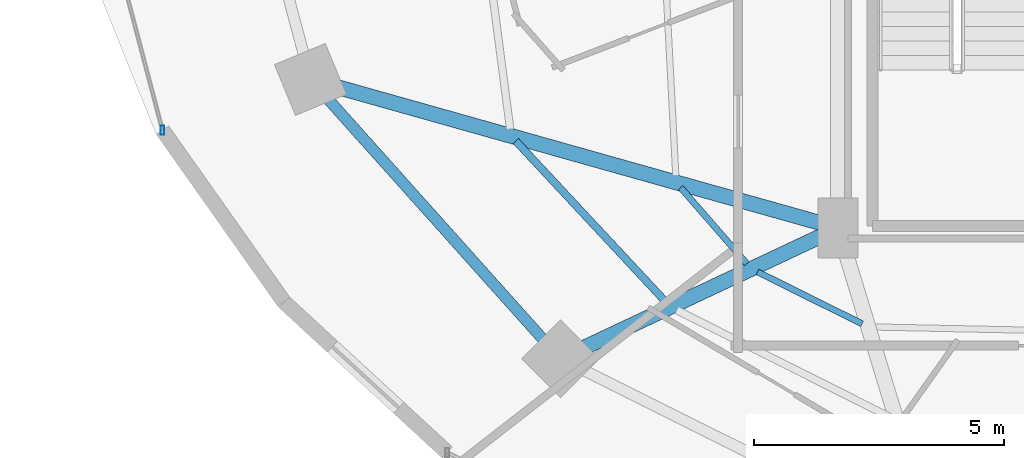
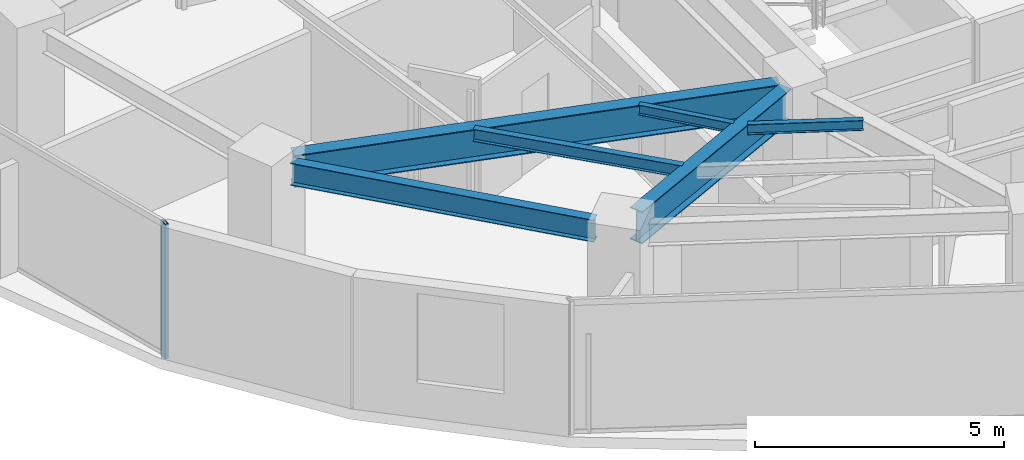
# One storey, part 3 of 30: 6 beams, 1 member, 1 element without a shape of its own.
"""IFC4 building model written with IfcOpenShell, lengths in metres."""

import ifcopenshell
import ifcopenshell.guid

model = None  # the IFC model being written
_history = None  # IfcOwnerHistory: only IFC2X3 demands one
_inside = {}  # id of a spatial element -> (the spatial element, [elements in it])
_under = {}  # id of a project, library or spatial element -> (it, [spatial elements below it])
_declared = {}  # id of a project -> (the project, [libraries it declares])
_typed = {}  # id of a type object -> (the type object, [elements of that type])
_made_of = {}  # id of a material, layer set ... -> (it, [elements and type objects made of it])


def new_model(schema):
    """Start an empty IFC model of exactly this schema.

    Asked for "IFC4X3", IfcOpenShell would pick the latest addendum, in which some entities
    have other attributes; the version numbers below select the first issue.
    IFC2X3 requires an IfcOwnerHistory on every rooted entity: one is made here for all.
    """
    global model, _history
    if schema == "IFC4X3":
        model = ifcopenshell.file(schema_version=(4, 3, 0, 0))
    else:
        model = ifcopenshell.file(schema=schema)
    _inside.clear()
    _under.clear()
    _declared.clear()
    _typed.clear()
    _made_of.clear()
    _history = None
    if model.schema == "IFC2X3":
        org = make("IfcOrganization", Name="unknown")
        user = make(
            "IfcPersonAndOrganization",
            ThePerson=make("IfcPerson", FamilyName="unknown"),
            TheOrganization=org,
        )
        app = make(
            "IfcApplication",
            ApplicationDeveloper=org,
            Version="unknown",
            ApplicationFullName="unknown",
            ApplicationIdentifier="unknown",
        )
        _history = make(
            "IfcOwnerHistory",
            OwningUser=user,
            OwningApplication=app,
            ChangeAction="ADDED",
            CreationDate=0,
        )
    return model


def make(cls, **values):
    """One entity of the class cls with the attributes given. An attribute that is None is left unset."""
    return model.create_entity(
        cls, **{name: value for name, value in values.items() if value is not None}
    )


def rooted(cls, **values):
    """An entity with a GlobalId (a new one), such as an element, a storey or a relation."""
    return make(cls, GlobalId=ifcopenshell.guid.new(), OwnerHistory=_history, **values)


def si_unit(unit_type, name, prefix=None):
    """IfcSIUnit, for example si_unit("LENGTHUNIT", "METRE", prefix="MILLI")."""
    return make("IfcSIUnit", UnitType=unit_type, Prefix=prefix, Name=name)


def assignment(units):
    """IfcUnitAssignment: the units of a project."""
    return None if units is None else make("IfcUnitAssignment", Units=units)


def point(xyz):
    """IfcCartesianPoint."""
    return None if xyz is None else make("IfcCartesianPoint", Coordinates=xyz)


def direction(xyz):
    """IfcDirection."""
    return None if xyz is None else make("IfcDirection", DirectionRatios=xyz)


def frame(location, z_axis=None, x_axis=None):
    """IfcAxis2Placement3D, a coordinate frame: its origin and axes. An axis left out is left unset."""
    return make(
        "IfcAxis2Placement3D",
        Location=point(location),
        Axis=direction(z_axis),
        RefDirection=direction(x_axis),
    )


def frame_2d(location, x_axis=None):
    """IfcAxis2Placement2D, a coordinate frame in the plane: its origin and x axis."""
    return make(
        "IfcAxis2Placement2D", Location=point(location), RefDirection=direction(x_axis)
    )


def origin():
    """The frame at (0, 0, 0) with its axes left unset."""
    return frame((0.0, 0.0, 0.0))


def origin_2d():
    """The frame at (0, 0) in the plane with its x axis left unset."""
    return frame_2d((0.0, 0.0))


def place(relative_to, where):
    """IfcLocalPlacement: puts the frame where relative to a parent placement (None: the world)."""
    return make(
        "IfcLocalPlacement", PlacementRelTo=relative_to, RelativePlacement=where
    )


def context(
    kind, dimensions, precision=None, world=None, true_north=None, identifier=None
):
    """IfcGeometricRepresentationContext, for example the 3D "Model" context."""
    return make(
        "IfcGeometricRepresentationContext",
        ContextIdentifier=identifier,
        ContextType=kind,
        CoordinateSpaceDimension=dimensions,
        Precision=precision,
        WorldCoordinateSystem=world,
        TrueNorth=true_north,
    )


def subcontext(parent, identifier, kind, view, scale=None):
    """IfcGeometricRepresentationSubContext, for example "Body" below "Model"."""
    return make(
        "IfcGeometricRepresentationSubContext",
        ContextIdentifier=identifier,
        ContextType=kind,
        ParentContext=parent,
        TargetScale=scale,
        TargetView=view,
    )


def project(units=None, contexts=None):
    """IfcProject with its units and contexts."""
    return rooted(
        "IfcProject",
        Name="project",
        RepresentationContexts=contexts,
        UnitsInContext=assignment(units),
    )


def spatial(cls, under=None, at=None, **own):
    """A site, building, storey or space (cls), placed at a placement, below another one or the project."""
    s = rooted(cls, ObjectPlacement=at, **own)
    if under is not None:
        _under.setdefault(under.id(), (under, []))[1].append(s)
    return s


def profile(cls, at=None, kind="AREA", **sizes):
    """A parametric profile (cls). Its sizes go by their IFC names, for example OverallWidth=200.0."""
    return make(cls, ProfileType=kind, Position=at, **sizes)


def hollow_rectangle(**sizes):
    """IfcRectangleHollowProfileDef."""
    return profile("IfcRectangleHollowProfileDef", **sizes)


def i_section(**sizes):
    """IfcIShapeProfileDef."""
    return profile("IfcIShapeProfileDef", **sizes)


def extrude(swept, where, along, depth):
    """IfcExtrudedAreaSolid: the profile swept, set in the frame where, extruded along a direction by depth."""
    return make(
        "IfcExtrudedAreaSolid",
        SweptArea=swept,
        Position=where,
        ExtrudedDirection=direction(along),
        Depth=depth,
    )


def shape(context_of_items, identifier, shape_type, items):
    """IfcShapeRepresentation: the items that make up one representation, for example the "Body"."""
    return make(
        "IfcShapeRepresentation",
        ContextOfItems=context_of_items,
        RepresentationIdentifier=identifier,
        RepresentationType=shape_type,
        Items=items,
    )


def material(Name=None, Category=None):
    """IfcMaterial."""
    return make("IfcMaterial", Name=Name, Category=Category)


def material_profile(
    of_material, cross_section, Name=None, Category=None, Priority=None
):
    """IfcMaterialProfile: a cross section and its material."""
    return make(
        "IfcMaterialProfile",
        Name=Name,
        Material=of_material,
        Profile=cross_section,
        Priority=Priority,
        Category=Category,
    )


def profile_set(profiles, Name=None, composite=None):
    """IfcMaterialProfileSet."""
    return make(
        "IfcMaterialProfileSet",
        Name=Name,
        MaterialProfiles=profiles,
        CompositeProfile=composite,
    )


def made_of(thing, what):
    """Note that an element or type object is made of a material, layer set ...; save() writes the relation."""
    if what is not None:
        _made_of.setdefault(what.id(), (what, []))[1].append(thing)
    return thing


def type_object(cls, material=None, **own):
    """A type object (cls), such as IfcWallType, which elements share."""
    return made_of(rooted(cls, **own), material)


def element(
    cls,
    number,
    at=None,
    inside=None,
    cuts=None,
    type_object=None,
    material=None,
    context=None,
    identifier="Body",
    shape_type=None,
    held_by="IfcProductDefinitionShape",
    body=None,
    shapes=None,
    **own,
):
    """One element of the class cls, such as IfcWall. Its Tag is "e" and its number.

    at: its placement. inside: the storey or other place that contains it. cuts: it is an
    opening in that element (IfcRelVoidsElement). A single representation is given by context,
    identifier, shape_type and body (its items); several are given by shapes. held_by: the class
    of the entity that holds the representations. save() writes the other relations.
    """
    e = rooted(cls, Tag="e%d" % number, ObjectPlacement=at, **own)
    if body is not None:
        shapes = [shape(context, identifier, shape_type, body)]
    if shapes is not None:
        e.Representation = make(held_by, Representations=shapes)
    if inside is not None:
        _inside.setdefault(inside.id(), (inside, []))[1].append(e)
    if cuts is not None:
        rooted(
            "IfcRelVoidsElement", RelatingBuildingElement=cuts, RelatedOpeningElement=e
        )
    if type_object is not None:
        _typed.setdefault(type_object.id(), (type_object, []))[1].append(e)
    return made_of(e, material)


def aggregate(whole, parts):
    """IfcRelAggregates: a whole, such as a stair, and the parts it consists of."""
    return rooted("IfcRelAggregates", RelatingObject=whole, RelatedObjects=parts)


def save(model, path):
    """Write the relations noted so far, then the file.

    IfcRelAggregates (storeys below a building ...), IfcRelContainedInSpatialStructure (elements
    in a storey), IfcRelDefinesByType, IfcRelAssociatesMaterial and IfcRelDeclares: one each for
    every whole, place, type object, material and project.
    """
    for whole, parts in _under.values():
        aggregate(whole, parts)
    for where, things in _inside.values():
        rooted(
            "IfcRelContainedInSpatialStructure",
            RelatedElements=things,
            RelatingStructure=where,
        )
    for kind, things in _typed.values():
        rooted("IfcRelDefinesByType", RelatedObjects=things, RelatingType=kind)
    for what, things in _made_of.values():
        rooted("IfcRelAssociatesMaterial", RelatedObjects=things, RelatingMaterial=what)
    for by, libraries in _declared.values():
        rooted("IfcRelDeclares", RelatingContext=by, RelatedDefinitions=libraries)
    model.write(path)


model = new_model("IFC4")

# Units and contexts
model_context = context("Model", 3, precision=1e-05, world=origin(), true_north=direction((0.0, 1.0)))
body_context = subcontext(model_context, "Body", "Model", "MODEL_VIEW")
ifc_project = project(units=[si_unit("LENGTHUNIT", "METRE"), si_unit("AREAUNIT", "SQUARE_METRE"), si_unit("VOLUMEUNIT", "CUBIC_METRE"), si_unit("PLANEANGLEUNIT", "RADIAN"), si_unit("MASSUNIT", "GRAM", prefix="KILO")], contexts=[model_context])

# Site, building, storey
site_placement = place(None, origin())
site = spatial("IfcSite", under=ifc_project, at=site_placement, CompositionType="ELEMENT")
building_placement = place(site_placement, origin())
building = spatial("IfcBuilding", under=site, at=building_placement, Name="Vorneva Point Tower", CompositionType="ELEMENT")
storey_placement = place(building_placement, frame((0.0, 0.0, 96.300048828125)))
storey = spatial("IfcBuildingStorey", under=building, at=storey_placement, Name="L25", CompositionType="ELEMENT", Elevation=96.300048828125)

# Beams
ifc_material_1 = material(Name="Steel S355", Category="steel")
ifc_material_profile_1 = material_profile(ifc_material_1, i_section(OverallWidth=0.300048828125, OverallDepth=0.7880859375, WebThickness=0.014404296875, FlangeThickness=0.02197265625, at=origin_2d()), Name="80Sh1")
ifc_profile_set_1 = profile_set([ifc_material_profile_1], Name="Steel S355")
beam_type_1 = type_object("IfcBeamType", Name="BM-GRD-80Sh1", PredefinedType="USERDEFINED", material=ifc_profile_set_1)
beam_1_placement = place(storey_placement, frame((17.222412109375, 19.272216796875, 2.845947265625), z_axis=(0.962598038366, -0.270933601708, 0.0), x_axis=(0.270933601708, 0.962598038366, 0.0)))
element("IfcBeam", 1, at=beam_1_placement, inside=storey, type_object=beam_type_1, Name="L25 Radial Primary Girder 10", ObjectType="GIRDER", PredefinedType="USERDEFINED", context=body_context, shape_type="SweptSolid", body=[
    extrude(i_section(OverallWidth=0.300048828125, OverallDepth=0.7880859375, WebThickness=0.014404296875, FlangeThickness=0.02197265625, at=origin_2d()), origin(), (0.0, 0.0, 1.0), 10.0771484375),
])
beam_2_placement = place(storey_placement, frame((22.18798828125, 14.06689453125, 2.845947265625), z_axis=(0.904751304927, 0.425940226126, 0.0), x_axis=(-0.425940226126, 0.904751304927, 0.0)))
element("IfcBeam", 2, at=beam_2_placement, inside=storey, type_object=beam_type_1, Name="L25 Radial Primary Girder 11", ObjectType="GIRDER", PredefinedType="USERDEFINED", context=body_context, shape_type="SweptSolid", body=[
    extrude(i_section(OverallWidth=0.300048828125, OverallDepth=0.7880859375, WebThickness=0.014404296875, FlangeThickness=0.02197265625, at=origin_2d()), origin(), (0.0, 0.0, 1.0), 5.2548828125),
])
ifc_material_profile_2 = material_profile(ifc_material_1, i_section(OverallWidth=0.1240234375, OverallDepth=0.248046875, WebThickness=0.0048828125, FlangeThickness=0.008056640625, at=origin_2d()), Name="25B1")
ifc_profile_set_2 = profile_set([ifc_material_profile_2], Name="Steel S355")
beam_type_2 = type_object("IfcBeamType", Name="BM-JST-25B1", PredefinedType="JOIST", material=ifc_profile_set_2)
beam_3_placement = place(storey_placement, frame((24.103271484375, 17.257080078125, 3.115966796875), z_axis=(0.656502765407, -0.7543236169, 0.0), x_axis=(0.7543236169, 0.656502765407, 0.0)))
element("IfcBeam", 3, at=beam_3_placement, inside=storey, type_object=beam_type_2, Name="L25 Secondary Floor Beam 2.10", PredefinedType="JOIST", context=body_context, shape_type="SweptSolid", body=[
    extrude(i_section(OverallWidth=0.1240234375, OverallDepth=0.248046875, WebThickness=0.0048828125, FlangeThickness=0.008056640625, at=origin_2d()), origin(), (0.0, 0.0, 1.0), 2.01416015625),
])
beam_4_placement = place(storey_placement, frame((25.6396484375, 15.572509765625, 3.115966796875), z_axis=(0.89565974577, -0.444739946268, 0.0), x_axis=(0.444739946268, 0.89565974577, 0.0)))
element("IfcBeam", 4, at=beam_4_placement, inside=storey, type_object=beam_type_2, Name="L25 Secondary Floor Beam 2.11", PredefinedType="JOIST", context=body_context, shape_type="SweptSolid", body=[
    extrude(i_section(OverallWidth=0.1240234375, OverallDepth=0.248046875, WebThickness=0.0048828125, FlangeThickness=0.008056640625, at=origin_2d()), origin(), (0.0, 0.0, 1.0), 2.330810546875),
])
ifc_material_profile_3 = material_profile(ifc_material_1, i_section(OverallWidth=0.14892578125, OverallDepth=0.298095703125, WebThickness=0.005615234375, FlangeThickness=0.008056640625, at=origin_2d()), Name="30B1")
ifc_profile_set_3 = profile_set([ifc_material_profile_3], Name="Steel S355")
beam_type_3 = type_object("IfcBeamType", Name="BM-JST-30B1", PredefinedType="JOIST", material=ifc_profile_set_3)
beam_5_placement = place(storey_placement, frame((20.80859375, 18.1884765625, 3.091064453125), z_axis=(0.681868844323, -0.731474455564, 0.0), x_axis=(0.731474455564, 0.681868844323, 0.0)))
element("IfcBeam", 5, at=beam_5_placement, inside=storey, type_object=beam_type_3, Name="L25 Secondary Floor Beam 1.10", PredefinedType="JOIST", context=body_context, shape_type="SweptSolid", body=[
    extrude(i_section(OverallWidth=0.14892578125, OverallDepth=0.298095703125, WebThickness=0.005615234375, FlangeThickness=0.008056640625, at=origin_2d()), origin(), (0.0, 0.0, 1.0), 4.39501953125),
])
ifc_material_profile_4 = material_profile(ifc_material_1, i_section(OverallWidth=0.219970703125, OverallDepth=0.54296875, WebThickness=0.009521484375, FlangeThickness=0.013427734375, at=origin_2d()), Name="55B1")
ifc_profile_set_4 = profile_set([ifc_material_profile_4], Name="Steel S355")
beam_type_4 = type_object("IfcBeamType", Name="BM-SPN-55B1", PredefinedType="SPANDREL", material=ifc_profile_set_4)
beam_6_placement = place(storey_placement, frame((17.0615234375, 19.019287109375, 2.968505859375), z_axis=(0.667073815664, -0.744991627105, 0.0), x_axis=(0.744991627105, 0.667073815664, 0.0)))
element("IfcBeam", 6, at=beam_6_placement, inside=storey, type_object=beam_type_4, Name="L25 Perimeter Spandrel Ring Beam 10", PredefinedType="SPANDREL", context=body_context, shape_type="SweptSolid", body=[
    extrude(i_section(OverallWidth=0.219970703125, OverallDepth=0.54296875, WebThickness=0.009521484375, FlangeThickness=0.013427734375, at=origin_2d()), origin(), (0.0, 0.0, 1.0), 6.420166015625),
])

# Curtain wall, member
ifc_material_2 = material(Name="Pale anodised aluminium", Category="aluminium")
curtain_wall_type = type_object("IfcCurtainWallType", Name="CW-HTL-SYS", PredefinedType="NOTDEFINED", material=ifc_material_2)
curtain_wall_placement = place(storey_placement, origin())
curtain_wall = element("IfcCurtainWall", 7, at=curtain_wall_placement, inside=storey, type_object=curtain_wall_type, Name="L25 Unitised Curtain Wall CW-L25-R03", PredefinedType="NOTDEFINED")
ifc_material_profile_5 = material_profile(ifc_material_2, hollow_rectangle(XDim=0.074951171875, YDim=0.179931640625, WallThickness=0.00390625, at=origin_2d()), Name="AL-MUL 180x75x4")
ifc_profile_set_5 = profile_set([ifc_material_profile_5], Name="Pale anodised aluminium")
member_type = type_object("IfcMemberType", Name="CW-MUL-180", PredefinedType="MULLION", material=ifc_profile_set_5)
member_placement = place(storey_placement, frame((13.748291015625, 18.40380859375, -0.0400390625), z_axis=(0.0, 0.0, 1.0), x_axis=(1.0, 0.0, 0.0)))
member = element("IfcMember", 8, at=member_placement, type_object=member_type, Name="CW-L25-R03 Mullion 03", PredefinedType="MULLION", context=body_context, shape_type="SweptSolid", body=[
    extrude(hollow_rectangle(XDim=0.074951171875, YDim=0.179931640625, WallThickness=0.00390625, at=origin_2d()), origin(), (0.0, 0.0, 1.0), 3.31005859375),
])
aggregate(curtain_wall, [member])

save(model, "model.ifc")
